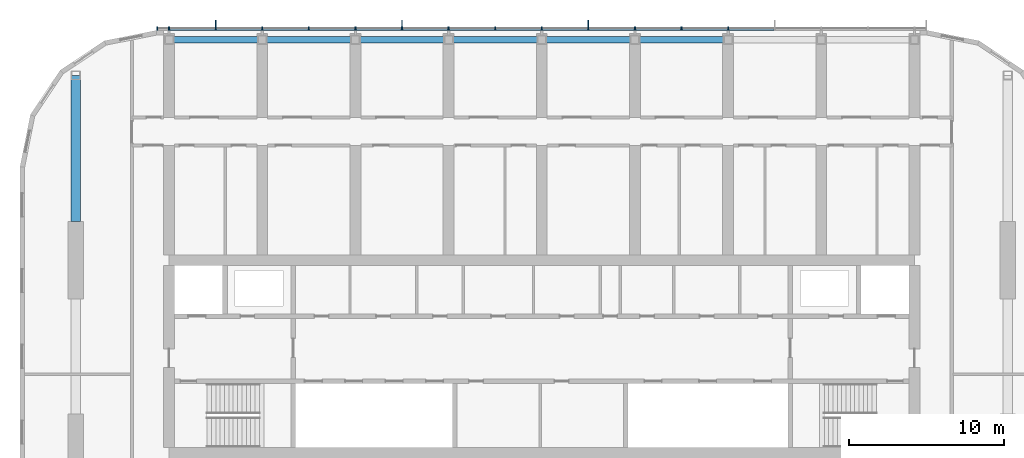
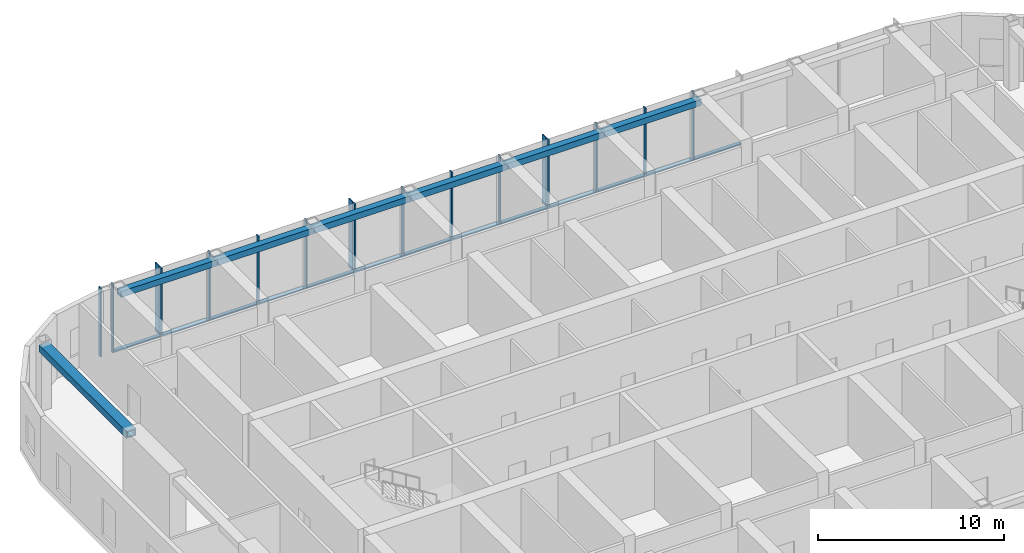
# One storey, part 4 of 21: 30 members, 7 beams, 1 element without a shape of its own.
"""IFC4 building model written with IfcOpenShell, lengths in metres."""

from ifc_helpers import new_model, si_unit, direction, frame, origin, origin_2d, place, context, subcontext, project, spatial, rectangle, hollow_rectangle, extrude, material, material_profile, profile_set, type_object, element, aggregate, save


model = new_model("IFC4")

# Units and contexts
model_context = context("Model", 3, precision=1e-05, world=origin(), true_north=direction((0.0, 1.0)))
body_context = subcontext(model_context, "Body", "Model", "MODEL_VIEW")
ifc_project = project(units=[si_unit("LENGTHUNIT", "METRE"), si_unit("AREAUNIT", "SQUARE_METRE"), si_unit("VOLUMEUNIT", "CUBIC_METRE"), si_unit("PLANEANGLEUNIT", "RADIAN"), si_unit("MASSUNIT", "GRAM", prefix="KILO")], contexts=[model_context])

# Site, building, storey
site_placement = place(None, origin())
site = spatial("IfcSite", under=ifc_project, at=site_placement, CompositionType="ELEMENT")
building_placement = place(site_placement, origin())
building = spatial("IfcBuilding", under=site, at=building_placement, Name="Orbita Commons", CompositionType="ELEMENT")
storey_placement = place(building_placement, frame((0.0, 0.0, 257.800048828125)))
storey = spatial("IfcBuildingStorey", under=building, at=storey_placement, Name="L64", CompositionType="ELEMENT", Elevation=257.800048828125)

# Curtain wall, members
ifc_material_1 = material(Name="Anodised aluminium frame, pale silver", Category="aluminium")
curtain_wall_type = type_object("IfcCurtainWallType", Name="Unitised curtain wall CW-S, full-height", PredefinedType="NOTDEFINED", material=ifc_material_1)
curtain_wall_placement = place(storey_placement, origin())
curtain_wall = element("IfcCurtainWall", 1, at=curtain_wall_placement, inside=storey, type_object=curtain_wall_type, Name="Curtain wall north L64", PredefinedType="NOTDEFINED")
ifc_material_2 = material(Name="Anodised aluminium, pale silver", Category="aluminium")
ifc_material_profile_1 = material_profile(ifc_material_2, rectangle(XDim=0.080078125, YDim=0.219970703125, at=origin_2d()), Name="AL 80x220")
ifc_profile_set_1 = profile_set([ifc_material_profile_1], Name="Anodised aluminium, pale silver")
member_type_1 = type_object("IfcMemberType", Name="Curtain wall mullion 80x220", PredefinedType="MULLION", material=ifc_profile_set_1)
member_1_placement = place(storey_placement, frame((54.0, 53.110107421875, -0.300048828125), z_axis=(0.0, 0.0, 1.0), x_axis=(-1.0, 0.0, 0.0)))
member_1 = element("IfcMember", 2, at=member_1_placement, type_object=member_type_1, Name="Mullion 6 CW-L64-N", PredefinedType="MULLION", context=body_context, shape_type="SweptSolid", body=[
    extrude(rectangle(XDim=0.080078125, YDim=0.219970703125, at=origin_2d()), origin(), (0.0, 0.0, 1.0), 4.5),
])
member_2_placement = place(storey_placement, frame((51.0, 53.110107421875, -0.300048828125), z_axis=(0.0, 0.0, 1.0), x_axis=(-1.0, 0.0, 0.0)))
member_2 = element("IfcMember", 3, at=member_2_placement, type_object=member_type_1, Name="Mullion 7 CW-L64-N", PredefinedType="MULLION", context=body_context, shape_type="SweptSolid", body=[
    extrude(rectangle(XDim=0.080078125, YDim=0.219970703125, at=origin_2d()), origin(), (0.0, 0.0, 1.0), 4.5),
])
member_3_placement = place(storey_placement, frame((48.0, 53.110107421875, -0.300048828125), z_axis=(0.0, 0.0, 1.0), x_axis=(-1.0, 0.0, 0.0)))
member_3 = element("IfcMember", 4, at=member_3_placement, type_object=member_type_1, Name="Mullion 8 CW-L64-N", PredefinedType="MULLION", context=body_context, shape_type="SweptSolid", body=[
    extrude(rectangle(XDim=0.080078125, YDim=0.219970703125, at=origin_2d()), origin(), (0.0, 0.0, 1.0), 4.5),
])
member_4_placement = place(storey_placement, frame((45.0, 53.110107421875, -0.300048828125), z_axis=(0.0, 0.0, 1.0), x_axis=(-1.0, 0.0, 0.0)))
member_4 = element("IfcMember", 5, at=member_4_placement, type_object=member_type_1, Name="Mullion 9 CW-L64-N", PredefinedType="MULLION", context=body_context, shape_type="SweptSolid", body=[
    extrude(rectangle(XDim=0.080078125, YDim=0.219970703125, at=origin_2d()), origin(), (0.0, 0.0, 1.0), 4.5),
])
member_5_placement = place(storey_placement, frame((42.0, 53.110107421875, -0.300048828125), z_axis=(0.0, 0.0, 1.0), x_axis=(-1.0, 0.0, 0.0)))
member_5 = element("IfcMember", 6, at=member_5_placement, type_object=member_type_1, Name="Mullion 10 CW-L64-N", PredefinedType="MULLION", context=body_context, shape_type="SweptSolid", body=[
    extrude(rectangle(XDim=0.080078125, YDim=0.219970703125, at=origin_2d()), origin(), (0.0, 0.0, 1.0), 4.5),
])
member_6_placement = place(storey_placement, frame((39.0, 53.110107421875, -0.300048828125), z_axis=(0.0, 0.0, 1.0), x_axis=(-1.0, 0.0, 0.0)))
member_6 = element("IfcMember", 7, at=member_6_placement, type_object=member_type_1, Name="Mullion 11 CW-L64-N", PredefinedType="MULLION", context=body_context, shape_type="SweptSolid", body=[
    extrude(rectangle(XDim=0.080078125, YDim=0.219970703125, at=origin_2d()), origin(), (0.0, 0.0, 1.0), 4.5),
])
member_7_placement = place(storey_placement, frame((36.0, 53.110107421875, -0.300048828125), z_axis=(0.0, 0.0, 1.0), x_axis=(-1.0, 0.0, 0.0)))
member_7 = element("IfcMember", 8, at=member_7_placement, type_object=member_type_1, Name="Mullion 12 CW-L64-N", PredefinedType="MULLION", context=body_context, shape_type="SweptSolid", body=[
    extrude(rectangle(XDim=0.080078125, YDim=0.219970703125, at=origin_2d()), origin(), (0.0, 0.0, 1.0), 4.5),
])
member_8_placement = place(storey_placement, frame((33.0, 53.110107421875, -0.300048828125), z_axis=(0.0, 0.0, 1.0), x_axis=(-1.0, 0.0, 0.0)))
member_8 = element("IfcMember", 9, at=member_8_placement, type_object=member_type_1, Name="Mullion 13 CW-L64-N", PredefinedType="MULLION", context=body_context, shape_type="SweptSolid", body=[
    extrude(rectangle(XDim=0.080078125, YDim=0.219970703125, at=origin_2d()), origin(), (0.0, 0.0, 1.0), 4.5),
])
member_9_placement = place(storey_placement, frame((30.0, 53.110107421875, -0.300048828125), z_axis=(0.0, 0.0, 1.0), x_axis=(-1.0, 0.0, 0.0)))
member_9 = element("IfcMember", 10, at=member_9_placement, type_object=member_type_1, Name="Mullion 14 CW-L64-N", PredefinedType="MULLION", context=body_context, shape_type="SweptSolid", body=[
    extrude(rectangle(XDim=0.080078125, YDim=0.219970703125, at=origin_2d()), origin(), (0.0, 0.0, 1.0), 4.5),
])
member_10_placement = place(storey_placement, frame((27.0, 53.110107421875, -0.300048828125), z_axis=(0.0, 0.0, 1.0), x_axis=(-1.0, 0.0, 0.0)))
member_10 = element("IfcMember", 11, at=member_10_placement, type_object=member_type_1, Name="Mullion 15 CW-L64-N", PredefinedType="MULLION", context=body_context, shape_type="SweptSolid", body=[
    extrude(rectangle(XDim=0.080078125, YDim=0.219970703125, at=origin_2d()), origin(), (0.0, 0.0, 1.0), 4.5),
])
member_11_placement = place(storey_placement, frame((24.0, 53.110107421875, -0.300048828125), z_axis=(0.0, 0.0, 1.0), x_axis=(-1.0, 0.0, 0.0)))
member_11 = element("IfcMember", 12, at=member_11_placement, type_object=member_type_1, Name="Mullion 16 CW-L64-N", PredefinedType="MULLION", context=body_context, shape_type="SweptSolid", body=[
    extrude(rectangle(XDim=0.080078125, YDim=0.219970703125, at=origin_2d()), origin(), (0.0, 0.0, 1.0), 4.5),
])
member_12_placement = place(storey_placement, frame((21.0, 53.110107421875, -0.300048828125), z_axis=(0.0, 0.0, 1.0), x_axis=(-1.0, 0.0, 0.0)))
member_12 = element("IfcMember", 13, at=member_12_placement, type_object=member_type_1, Name="Mullion 17 CW-L64-N", PredefinedType="MULLION", context=body_context, shape_type="SweptSolid", body=[
    extrude(rectangle(XDim=0.080078125, YDim=0.219970703125, at=origin_2d()), origin(), (0.0, 0.0, 1.0), 4.5),
])
member_13_placement = place(storey_placement, frame((18.0, 53.110107421875, -0.300048828125), z_axis=(0.0, 0.0, 1.0), x_axis=(-1.0, 0.0, 0.0)))
member_13 = element("IfcMember", 14, at=member_13_placement, type_object=member_type_1, Name="Mullion 18 CW-L64-N", PredefinedType="MULLION", context=body_context, shape_type="SweptSolid", body=[
    extrude(rectangle(XDim=0.080078125, YDim=0.219970703125, at=origin_2d()), origin(), (0.0, 0.0, 1.0), 4.5),
])
member_14_placement = place(storey_placement, frame((17.239990234375, 53.110107421875, -0.300048828125), z_axis=(0.0, 0.0, 1.0), x_axis=(-1.0, 0.0, 0.0)))
member_14 = element("IfcMember", 15, at=member_14_placement, type_object=member_type_1, Name="Mullion 19 CW-L64-N", PredefinedType="MULLION", context=body_context, shape_type="SweptSolid", body=[
    extrude(rectangle(XDim=0.080078125, YDim=0.219970703125, at=origin_2d()), origin(), (0.0, 0.0, 1.0), 4.5),
])
ifc_material_3 = material(Name="Anodised aluminium, pale silver", Category="aluminium")
ifc_material_profile_2 = material_profile(ifc_material_3, rectangle(XDim=0.219970703125, YDim=0.10009765625, at=origin_2d()), Name="AL 220x100")
ifc_profile_set_2 = profile_set([ifc_material_profile_2], Name="Anodised aluminium, pale silver")
member_type_2 = type_object("IfcMemberType", Name="Curtain wall stack transom 220x100", PredefinedType="USERDEFINED", material=ifc_profile_set_2)
member_15_placement = place(storey_placement, frame((56.9599609375, 53.110107421875, -0.25), z_axis=(-1.0, 0.0, 0.0), x_axis=(0.0, -1.0, 0.0)))
member_15 = element("IfcMember", 16, at=member_15_placement, type_object=member_type_2, Name="Transom 5.1 CW-L64-N", ObjectType="TRANSOM", PredefinedType="USERDEFINED", context=body_context, shape_type="SweptSolid", body=[
    extrude(rectangle(XDim=0.219970703125, YDim=0.10009765625, at=origin_2d()), origin(), (0.0, 0.0, 1.0), 2.919921875),
])
member_16_placement = place(storey_placement, frame((53.9599609375, 53.110107421875, -0.25), z_axis=(-1.0, 0.0, 0.0), x_axis=(0.0, -1.0, 0.0)))
member_16 = element("IfcMember", 17, at=member_16_placement, type_object=member_type_2, Name="Transom 6.1 CW-L64-N", ObjectType="TRANSOM", PredefinedType="USERDEFINED", context=body_context, shape_type="SweptSolid", body=[
    extrude(rectangle(XDim=0.219970703125, YDim=0.10009765625, at=origin_2d()), origin(), (0.0, 0.0, 1.0), 2.919921875),
])
member_17_placement = place(storey_placement, frame((50.9599609375, 53.110107421875, -0.25), z_axis=(-1.0, 0.0, 0.0), x_axis=(0.0, -1.0, 0.0)))
member_17 = element("IfcMember", 18, at=member_17_placement, type_object=member_type_2, Name="Transom 7.1 CW-L64-N", ObjectType="TRANSOM", PredefinedType="USERDEFINED", context=body_context, shape_type="SweptSolid", body=[
    extrude(rectangle(XDim=0.219970703125, YDim=0.10009765625, at=origin_2d()), origin(), (0.0, 0.0, 1.0), 2.919921875),
])
member_18_placement = place(storey_placement, frame((47.9599609375, 53.110107421875, -0.25), z_axis=(-1.0, 0.0, 0.0), x_axis=(0.0, -1.0, 0.0)))
member_18 = element("IfcMember", 19, at=member_18_placement, type_object=member_type_2, Name="Transom 8.1 CW-L64-N", ObjectType="TRANSOM", PredefinedType="USERDEFINED", context=body_context, shape_type="SweptSolid", body=[
    extrude(rectangle(XDim=0.219970703125, YDim=0.10009765625, at=origin_2d()), origin(), (0.0, 0.0, 1.0), 2.919921875),
])
member_19_placement = place(storey_placement, frame((44.9599609375, 53.110107421875, -0.25), z_axis=(-1.0, 0.0, 0.0), x_axis=(0.0, -1.0, 0.0)))
member_19 = element("IfcMember", 20, at=member_19_placement, type_object=member_type_2, Name="Transom 9.1 CW-L64-N", ObjectType="TRANSOM", PredefinedType="USERDEFINED", context=body_context, shape_type="SweptSolid", body=[
    extrude(rectangle(XDim=0.219970703125, YDim=0.10009765625, at=origin_2d()), origin(), (0.0, 0.0, 1.0), 2.919921875),
])
member_20_placement = place(storey_placement, frame((41.9599609375, 53.110107421875, -0.25), z_axis=(-1.0, 0.0, 0.0), x_axis=(0.0, -1.0, 0.0)))
member_20 = element("IfcMember", 21, at=member_20_placement, type_object=member_type_2, Name="Transom 10.1 CW-L64-N", ObjectType="TRANSOM", PredefinedType="USERDEFINED", context=body_context, shape_type="SweptSolid", body=[
    extrude(rectangle(XDim=0.219970703125, YDim=0.10009765625, at=origin_2d()), origin(), (0.0, 0.0, 1.0), 2.919921875),
])
member_21_placement = place(storey_placement, frame((38.9599609375, 53.110107421875, -0.25), z_axis=(-1.0, 0.0, 0.0), x_axis=(0.0, -1.0, 0.0)))
member_21 = element("IfcMember", 22, at=member_21_placement, type_object=member_type_2, Name="Transom 11.1 CW-L64-N", ObjectType="TRANSOM", PredefinedType="USERDEFINED", context=body_context, shape_type="SweptSolid", body=[
    extrude(rectangle(XDim=0.219970703125, YDim=0.10009765625, at=origin_2d()), origin(), (0.0, 0.0, 1.0), 2.919921875),
])
member_22_placement = place(storey_placement, frame((35.9599609375, 53.110107421875, -0.25), z_axis=(-1.0, 0.0, 0.0), x_axis=(0.0, -1.0, 0.0)))
member_22 = element("IfcMember", 23, at=member_22_placement, type_object=member_type_2, Name="Transom 12.1 CW-L64-N", ObjectType="TRANSOM", PredefinedType="USERDEFINED", context=body_context, shape_type="SweptSolid", body=[
    extrude(rectangle(XDim=0.219970703125, YDim=0.10009765625, at=origin_2d()), origin(), (0.0, 0.0, 1.0), 2.919921875),
])
member_23_placement = place(storey_placement, frame((32.9599609375, 53.110107421875, -0.25), z_axis=(-1.0, 0.0, 0.0), x_axis=(0.0, -1.0, 0.0)))
member_23 = element("IfcMember", 24, at=member_23_placement, type_object=member_type_2, Name="Transom 13.1 CW-L64-N", ObjectType="TRANSOM", PredefinedType="USERDEFINED", context=body_context, shape_type="SweptSolid", body=[
    extrude(rectangle(XDim=0.219970703125, YDim=0.10009765625, at=origin_2d()), origin(), (0.0, 0.0, 1.0), 2.919921875),
])
member_24_placement = place(storey_placement, frame((29.9599609375, 53.110107421875, -0.25), z_axis=(-1.0, 0.0, 0.0), x_axis=(0.0, -1.0, 0.0)))
member_24 = element("IfcMember", 25, at=member_24_placement, type_object=member_type_2, Name="Transom 14.1 CW-L64-N", ObjectType="TRANSOM", PredefinedType="USERDEFINED", context=body_context, shape_type="SweptSolid", body=[
    extrude(rectangle(XDim=0.219970703125, YDim=0.10009765625, at=origin_2d()), origin(), (0.0, 0.0, 1.0), 2.919921875),
])
member_25_placement = place(storey_placement, frame((26.9599609375, 53.110107421875, -0.25), z_axis=(-1.0, 0.0, 0.0), x_axis=(0.0, -1.0, 0.0)))
member_25 = element("IfcMember", 26, at=member_25_placement, type_object=member_type_2, Name="Transom 15.1 CW-L64-N", ObjectType="TRANSOM", PredefinedType="USERDEFINED", context=body_context, shape_type="SweptSolid", body=[
    extrude(rectangle(XDim=0.219970703125, YDim=0.10009765625, at=origin_2d()), origin(), (0.0, 0.0, 1.0), 2.919921875),
])
member_26_placement = place(storey_placement, frame((23.9599609375, 53.110107421875, -0.25), z_axis=(-1.0, 0.0, 0.0), x_axis=(0.0, -1.0, 0.0)))
member_26 = element("IfcMember", 27, at=member_26_placement, type_object=member_type_2, Name="Transom 16.1 CW-L64-N", ObjectType="TRANSOM", PredefinedType="USERDEFINED", context=body_context, shape_type="SweptSolid", body=[
    extrude(rectangle(XDim=0.219970703125, YDim=0.10009765625, at=origin_2d()), origin(), (0.0, 0.0, 1.0), 2.919921875),
])
member_27_placement = place(storey_placement, frame((20.9599609375, 53.110107421875, -0.25), z_axis=(-1.0, 0.0, 0.0), x_axis=(0.0, -1.0, 0.0)))
member_27 = element("IfcMember", 28, at=member_27_placement, type_object=member_type_2, Name="Transom 17.1 CW-L64-N", ObjectType="TRANSOM", PredefinedType="USERDEFINED", context=body_context, shape_type="SweptSolid", body=[
    extrude(rectangle(XDim=0.219970703125, YDim=0.10009765625, at=origin_2d()), origin(), (0.0, 0.0, 1.0), 2.919921875),
])

# Beams
ifc_material_4 = material(Name="Steel ASTM A572 Gr 50 welded plate", Category="steel")
ifc_material_profile_3 = material_profile(ifc_material_4, hollow_rectangle(XDim=0.60009765625, YDim=0.449951171875, WallThickness=0.06005859375, at=origin_2d()), Name="BOX 450x600x60")
ifc_profile_set_3 = profile_set([ifc_material_profile_3], Name="Steel ASTM A572 Gr 50 welded plate")
beam_type_1 = type_object("IfcBeamType", Name="Steel end frame link BOX 450x600x60", PredefinedType="BEAM", material=ifc_profile_set_3)
beam_placement = place(storey_placement, frame((12.0, 40.699951171875, 3.974853515625), z_axis=(0.0, 1.0, 0.0), x_axis=(-1.0, 0.0, 0.0)))
element("IfcBeam", 29, at=beam_placement, inside=storey, type_object=beam_type_1, Name="End frame beam 3 D-E L64", PredefinedType="BEAM", context=body_context, shape_type="SweptSolid", body=[
    extrude(hollow_rectangle(XDim=0.60009765625, YDim=0.449951171875, WallThickness=0.06005859375, at=origin_2d()), origin(), (0.0, 0.0, 1.0), 9.400146484375),
])
ifc_material_5 = material(Name="Steel ASTM A572 Gr 50 welded plate", Category="steel")
ifc_material_profile_4 = material_profile(ifc_material_5, hollow_rectangle(XDim=0.39990234375, YDim=0.39990234375, WallThickness=0.0400390625, at=origin_2d()), Name="BOX 400x400x40")
ifc_profile_set_4 = profile_set([ifc_material_profile_4], Name="Steel ASTM A572 Gr 50 welded plate")
beam_type_2 = type_object("IfcBeamType", Name="Steel spandrel BOX 400x400x40", PredefinedType="SPANDREL", material=ifc_profile_set_4)
for number, where, z_axis, x_axis, name in (
    (30, (18.0, 52.39990234375, 4.0), (1.0, 0.0, 0.0), (0.0, 1.0, 0.0), "Spandrel beam E 4-5 L64"),
    (31, (24.0, 52.39990234375, 4.0), (1.0, 0.0, 0.0), (0.0, 1.0, 0.0), "Spandrel beam E 5-6 L64"),
    (32, (30.0, 52.39990234375, 4.0), (1.0, 0.0, 0.0), (0.0, 1.0, 0.0), "Spandrel beam E 6-7 L64"),
    (33, (36.0, 52.39990234375, 4.0), (1.0, 0.0, 0.0), (0.0, 1.0, 0.0), "Spandrel beam E 7-8 L64"),
    (34, (42.0, 52.39990234375, 4.0), (1.0, 0.0, 0.0), (0.0, 1.0, 0.0), "Spandrel beam E 8-9 L64"),
    (35, (48.0, 52.39990234375, 4.0), (1.0, 0.0, 0.0), (0.0, 1.0, 0.0), "Spandrel beam E 9-10 L64"),
):
    element("IfcBeam", number, at=place(storey_placement, frame(where, z_axis=z_axis, x_axis=x_axis)), inside=storey, type_object=beam_type_2, Name=name, PredefinedType="SPANDREL", context=body_context, shape_type="SweptSolid", body=[
        extrude(hollow_rectangle(XDim=0.39990234375, YDim=0.39990234375, WallThickness=0.0400390625, at=origin_2d()), origin(), (0.0, 0.0, 1.0), 6.0),
    ])

# Member
ifc_material_6 = material(Name="Anodised aluminium, pale silver", Category="aluminium")
ifc_material_profile_5 = material_profile(ifc_material_6, rectangle(XDim=0.06005859375, YDim=0.449951171875, at=origin_2d()), Name="FIN 60x450")
ifc_profile_set_5 = profile_set([ifc_material_profile_5], Name="Anodised aluminium, pale silver")
member_type_3 = type_object("IfcMemberType", Name="Vertical fin 60x450 pale aluminium", PredefinedType="USERDEFINED", material=ifc_profile_set_5)
member_28_placement = place(storey_placement, frame((45.0, 53.445068359375, -0.300048828125), z_axis=(0.0, 0.0, 1.0), x_axis=(-1.0, 0.0, 0.0)))
member_28 = element("IfcMember", 36, at=member_28_placement, type_object=member_type_3, Name="Fin 9 CW-L64-N", ObjectType="FIN", PredefinedType="USERDEFINED", context=body_context, shape_type="SweptSolid", body=[
    extrude(rectangle(XDim=0.06005859375, YDim=0.449951171875, at=origin_2d()), origin(), (0.0, 0.0, 1.0), 4.5),
])

member_29_placement = place(storey_placement, frame((33.0, 53.445068359375, -0.300048828125), z_axis=(0.0, 0.0, 1.0), x_axis=(-1.0, 0.0, 0.0)))
member_29 = element("IfcMember", 37, at=member_29_placement, type_object=member_type_3, Name="Fin 13 CW-L64-N", ObjectType="FIN", PredefinedType="USERDEFINED", context=body_context, shape_type="SweptSolid", body=[
    extrude(rectangle(XDim=0.06005859375, YDim=0.449951171875, at=origin_2d()), origin(), (0.0, 0.0, 1.0), 4.5),
])

member_30_placement = place(storey_placement, frame((21.0, 53.445068359375, -0.300048828125), z_axis=(0.0, 0.0, 1.0), x_axis=(-1.0, 0.0, 0.0)))
member_30 = element("IfcMember", 38, at=member_30_placement, type_object=member_type_3, Name="Fin 17 CW-L64-N", ObjectType="FIN", PredefinedType="USERDEFINED", context=body_context, shape_type="SweptSolid", body=[
    extrude(rectangle(XDim=0.06005859375, YDim=0.449951171875, at=origin_2d()), origin(), (0.0, 0.0, 1.0), 4.5),
])

aggregate(curtain_wall, [member_1, member_2, member_3, member_4, member_28, member_5, member_6, member_7, member_8, member_29, member_9, member_10, member_11, member_12, member_30, member_13, member_14, member_15, member_16, member_17, member_18, member_19, member_20, member_21, member_22, member_23, member_24, member_25, member_26, member_27])

save(model, "model.ifc")
